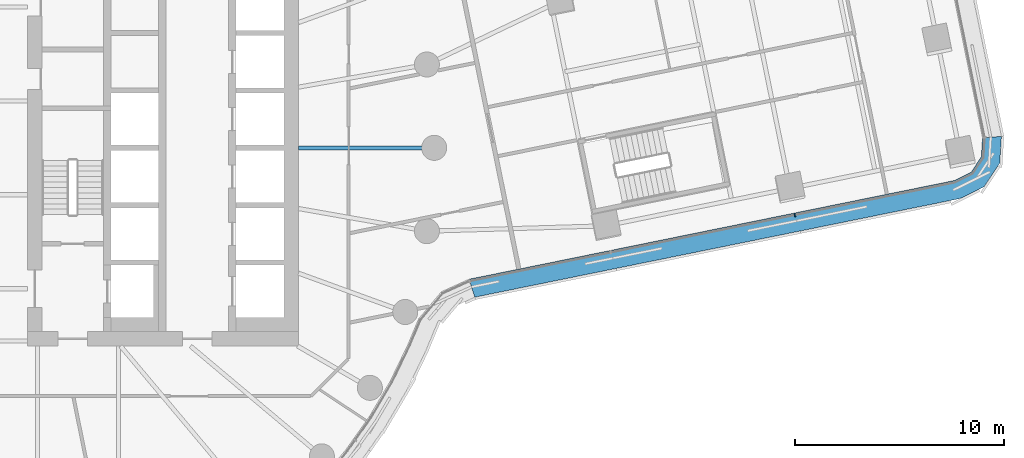
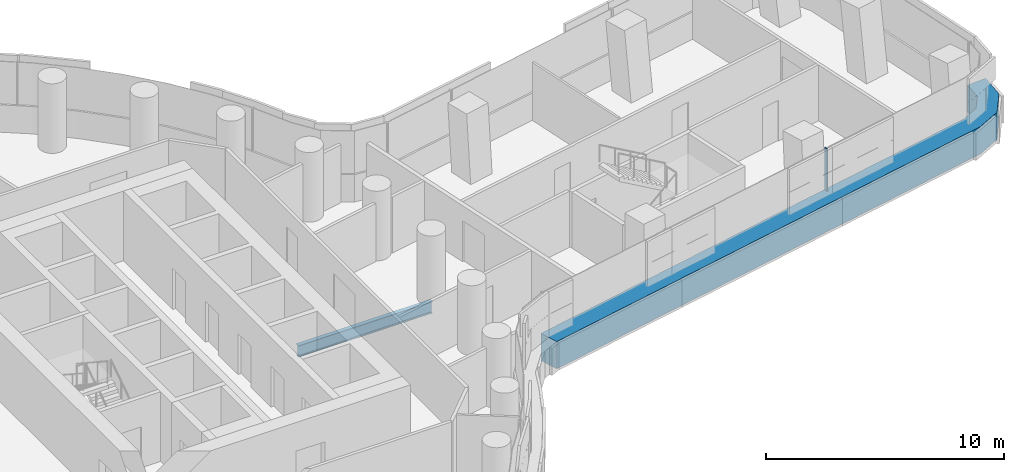
# One storey, part 10 of 31: 2 members, 1 beam, 1 element without a shape of its own.
"""IFC4 building model written with IfcOpenShell, lengths in metres."""

from ifc_helpers import new_model, si_unit, direction, frame, origin, origin_2d, place, context, subcontext, project, spatial, polyline, rectangle, i_section, outline, extrude, material, layer, layer_set, material_profile, profile_set, type_object, element, aggregate, save


model = new_model("IFC4")

# Units and contexts
model_context = context("Model", 3, precision=1e-05, world=origin(), true_north=direction((0.0, 1.0)))
body_context = subcontext(model_context, "Body", "Model", "MODEL_VIEW")
ifc_project = project(units=[si_unit("LENGTHUNIT", "METRE"), si_unit("AREAUNIT", "SQUARE_METRE"), si_unit("VOLUMEUNIT", "CUBIC_METRE"), si_unit("PLANEANGLEUNIT", "RADIAN"), si_unit("MASSUNIT", "GRAM", prefix="KILO")], contexts=[model_context])

# Site, building, storey
site_placement = place(None, origin())
site = spatial("IfcSite", under=ifc_project, at=site_placement, CompositionType="ELEMENT")
building_placement = place(site_placement, origin())
building = spatial("IfcBuilding", under=site, at=building_placement, Name="Tamarind Cross Interchange Tower", CompositionType="ELEMENT")
storey_placement = place(building_placement, frame((0.0, 0.0, 75.25)))
storey = spatial("IfcBuildingStorey", under=building, at=storey_placement, Name="L17", CompositionType="ELEMENT", Elevation=75.25)

# Beam
ifc_material_1 = material(Name="Steel Q355B", Category="steel")
ifc_material_profile_1 = material_profile(ifc_material_1, i_section(OverallWidth=0.198974609375, OverallDepth=0.595947265625, WebThickness=0.010009765625, FlangeThickness=0.014892578125, FilletRadius=0.012939453125, at=origin_2d()), Name="HN 596x199x10x15")
ifc_profile_set_1 = profile_set([ifc_material_profile_1], Name="Steel Q355B")
beam_type = type_object("IfcBeamType", Name="Composite beam HN 596x199x10x15 Q355B", PredefinedType="BEAM", material=ifc_profile_set_1)
beam_placement = place(storey_placement, frame((23.0, 0.0, -0.43798828125), z_axis=(-1.0, 0.0, 0.0), x_axis=(0.0, -1.0, 0.0)))
element("IfcBeam", 1, at=beam_placement, inside=storey, type_object=beam_type, Name="Beam HH00", PredefinedType="BEAM", context=body_context, shape_type="SweptSolid", body=[
    extrude(i_section(OverallWidth=0.198974609375, OverallDepth=0.595947265625, WebThickness=0.010009765625, FlangeThickness=0.014892578125, FilletRadius=0.012939453125, at=origin_2d()), origin(), (0.0, 0.0, 1.0), 6.5),
])

# Curtain wall, members
ifc_material_2 = material(Name="Aluminium 6063-T6", Category="aluminium")
ifc_layer = layer(ifc_material_2, 0.159912109375)
ifc_layer_set = layer_set([ifc_layer], Name="Aluminium 6063-T6")
curtain_wall_type = type_object("IfcCurtainWallType", Name="Office curtain wall, 9.0 m bays", PredefinedType="NOTDEFINED", material=ifc_layer_set)
curtain_wall_placement = place(storey_placement, origin())
curtain_wall = element("IfcCurtainWall", 2, at=curtain_wall_placement, inside=storey, type_object=curtain_wall_type, Name="CWS-L17-07", PredefinedType="NOTDEFINED")
ifc_material_3 = material(Name="Aluminium and insulated spandrel panel", Category="aluminium")
member_type_1 = type_object("IfcMemberType", Name="Floor-edge blade transom", PredefinedType="USERDEFINED", material=ifc_material_3)
member_1_placement = place(storey_placement, origin())
member_1 = element("IfcMember", 3, at=member_1_placement, type_object=member_type_1, Name="CWT-L17-07", ObjectType="TRANSOM", PredefinedType="USERDEFINED", context=body_context, shape_type="SweptSolid", body=[
    extrude(outline(polyline([(24.6669921875, -6.294921875), (47.92041015625, -1.56689453125), (48.73974609375, -1.158447265625), (49.222412109375, -0.429443359375), (49.278564453125, 0.484375), (50.18408203125, 0.547607421875), (50.10595703125, -0.72509765625), (49.35693359375, -1.8564453125), (48.2158203125, -2.42529296875), (24.94677734375, -7.156494140625), (24.6669921875, -6.294921875)])), origin(), (0.0, 0.0, 1.0), 1.39990234375),
])
ifc_material_profile_2 = material_profile(ifc_material_2, rectangle(XDim=0.06005859375, YDim=0.159912109375, at=origin_2d()), Name="Mullion CW1")
ifc_profile_set_2 = profile_set([ifc_material_profile_2], Name="Aluminium 6063-T6")
member_type_2 = type_object("IfcMemberType", Name="Mullion CW1", PredefinedType="MULLION", material=ifc_profile_set_2)
member_2_placement = place(storey_placement, frame((40.283203125, -3.2216796875, 1.39990234375), z_axis=(0.0, 0.0, 1.0), x_axis=(0.979949750197, 0.199244791873, 0.0)))
member_2 = element("IfcMember", 4, at=member_2_placement, type_object=member_type_2, Name="CWM-L17-07-02", PredefinedType="MULLION", context=body_context, shape_type="SweptSolid", body=[
    extrude(rectangle(XDim=0.06005859375, YDim=0.159912109375, at=origin_2d()), origin(), (0.0, 0.0, 1.0), 2.170166015625),
])
aggregate(curtain_wall, [member_2, member_1])

save(model, "model.ifc")
